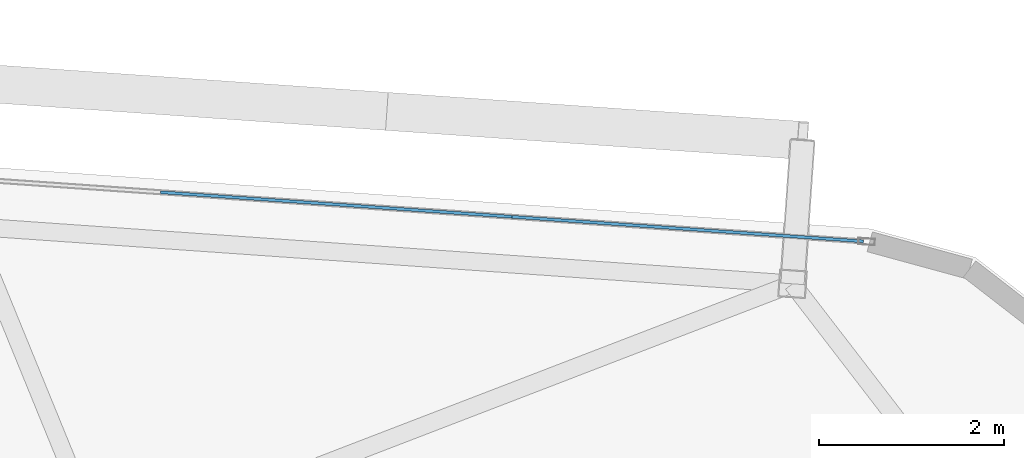
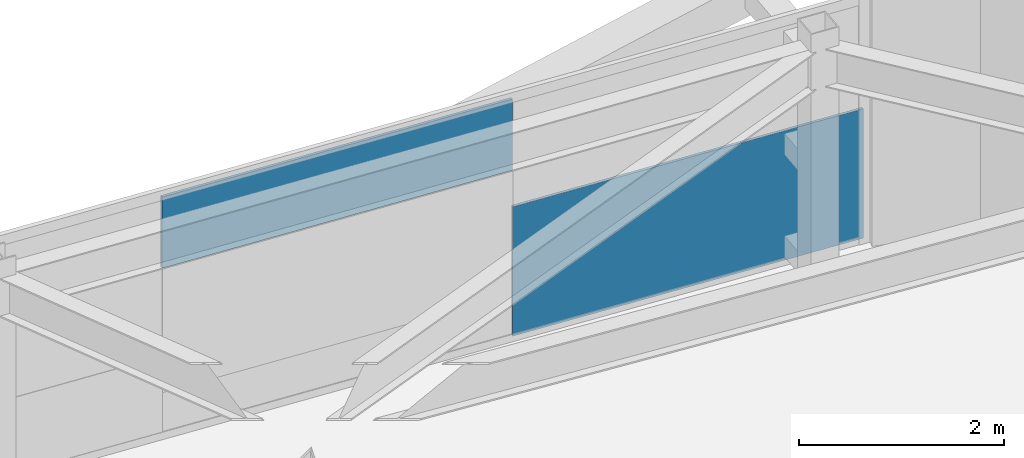
# One storey, part 26 of 39: 2 plates, 1 element without a shape of its own.
"""IFC4 building model written with IfcOpenShell, lengths in metres."""

from ifc_helpers import new_model, si_unit, direction, frame, origin, origin_2d, place, context, subcontext, project, spatial, rectangle, extrude, source, transform, mapped, material, layer, layer_set, type_object, element, aggregate, save


model = new_model("IFC4")

# Units and contexts
model_context = context("Model", 3, precision=1e-05, world=origin(), true_north=direction((0.0, 1.0)))
body_context = subcontext(model_context, "Body", "Model", "MODEL_VIEW")
ifc_project = project(units=[si_unit("LENGTHUNIT", "METRE"), si_unit("AREAUNIT", "SQUARE_METRE"), si_unit("VOLUMEUNIT", "CUBIC_METRE"), si_unit("PLANEANGLEUNIT", "RADIAN"), si_unit("MASSUNIT", "GRAM", prefix="KILO")], contexts=[model_context])

# Site, building, storey
site_placement = place(None, origin())
site = spatial("IfcSite", under=ifc_project, at=site_placement, CompositionType="ELEMENT")
building_placement = place(site_placement, origin())
building = spatial("IfcBuilding", under=site, at=building_placement, Name="Taldren Reach Tower", CompositionType="ELEMENT")
storey_placement = place(building_placement, frame((0.0, 0.0, 158.199951171875)))
storey = spatial("IfcBuildingStorey", under=building, at=storey_placement, Name="L48", CompositionType="ELEMENT", Elevation=158.199951171875)

# Curtain wall, plates
ifc_material_1 = material(Name="Aluminium and Low-E Glass Unitised System", Category="aluminium")
ifc_layer_1 = layer(ifc_material_1, 0.159912109375)
ifc_layer_set_1 = layer_set([ifc_layer_1], Name="Aluminium and Low-E Glass Unitised System")
curtain_wall_type = type_object("IfcCurtainWallType", Name="CW-SYS-4", PredefinedType="NOTDEFINED", material=ifc_layer_set_1)
curtain_wall_placement = place(storey_placement, origin())
curtain_wall = element("IfcCurtainWall", 1, at=curtain_wall_placement, inside=storey, type_object=curtain_wall_type, Name="Unitised curtain wall CW-L48-N", PredefinedType="NOTDEFINED")
ifc_material_2 = material(Name="Solar-Control Double Glazed IGU", Category="glass")
ifc_layer_2 = layer(ifc_material_2, 0.031982421875)
ifc_layer_set_2 = layer_set([ifc_layer_2], Name="Solar-Control Double Glazed IGU")
plate_type = type_object("IfcPlateType", Name="CW-PNL-IGU32", PredefinedType="CURTAIN_PANEL", material=ifc_layer_set_2)
shared_shape_1 = source(origin(), body_context, "Body", "SweptSolid", [
    extrude(rectangle(XDim=3.79833984375, YDim=0.031982421875, at=origin_2d()), origin(), (0.0, 0.0, 1.0), 0.84716796875),
])
plate_1_placement = place(storey_placement, frame((53.5166015625, 35.716796875, 2.02783203125), z_axis=(0.0, 0.0, 1.0), x_axis=(-0.99756404731, 0.06975651593, 0.0)))
plate_1 = element("IfcPlate", 2, at=plate_1_placement, type_object=plate_type, Name="CW-4 panel 1.1 part 3", PredefinedType="CURTAIN_PANEL", context=body_context, shape_type="MappedRepresentation", body=[
    mapped(shared_shape_1, transform((0.0, 0.0, 0.0), scale=1.0)),
])
shared_shape_2 = source(origin(), body_context, "Body", "SweptSolid", [
    extrude(rectangle(XDim=3.79833984375, YDim=0.031982421875, at=origin_2d()), origin(), (0.0, 0.0, 1.0), 1.537841796875),
])
plate_2_placement = place(storey_placement, frame((57.3056640625, 35.451904296875, 0.05517578125), z_axis=(0.0, 0.0, 1.0), x_axis=(-0.99756404731, 0.06975651593, 0.0)))
plate_2 = element("IfcPlate", 3, at=plate_2_placement, type_object=plate_type, Name="CW-4 panel 1.1 part 1", PredefinedType="CURTAIN_PANEL", context=body_context, shape_type="MappedRepresentation", body=[
    mapped(shared_shape_2, transform((0.0, 0.0, 0.0), scale=1.0)),
])
aggregate(curtain_wall, [plate_2, plate_1])

save(model, "model.ifc")
